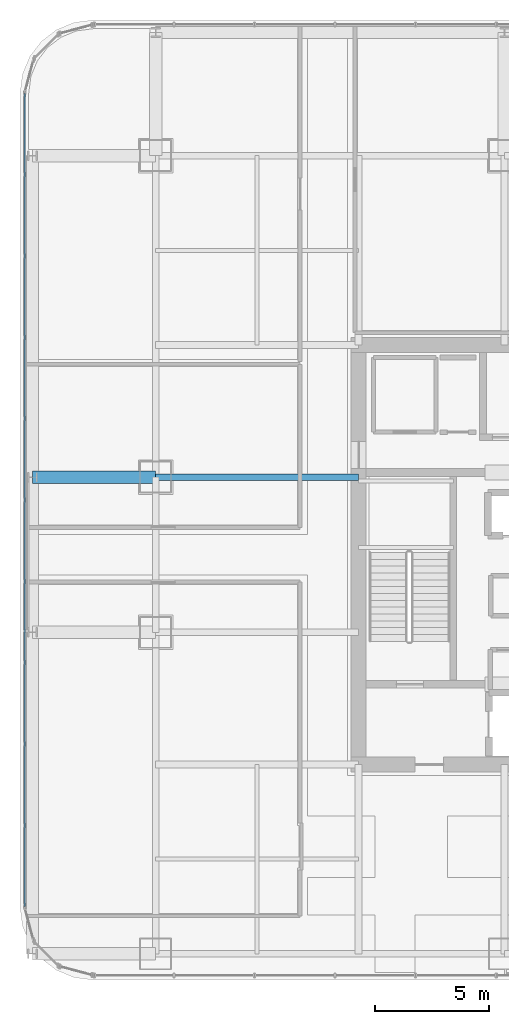
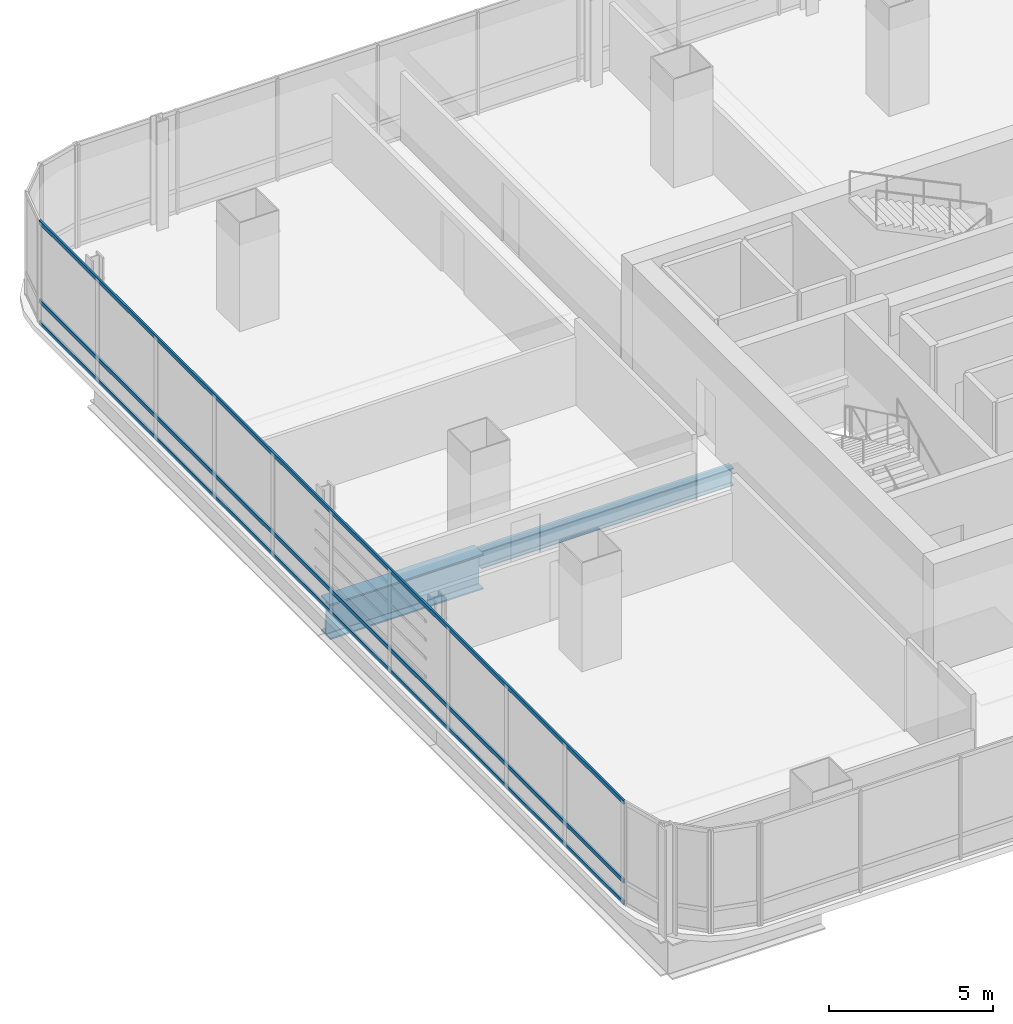
# One storey, part 11 of 38: 3 members, 2 beams, 1 element without a shape of its own.
"""IFC4 building model written with IfcOpenShell, lengths in metres."""

from ifc_helpers import new_model, si_unit, direction, frame, origin, origin_2d, place, context, subcontext, project, spatial, hollow_rectangle, i_section, extrude, material, material_profile, profile_set, type_object, element, aggregate, save


model = new_model("IFC4")

# Units and contexts
model_context = context("Model", 3, precision=1e-05, world=origin(), true_north=direction((0.0, 1.0)))
body_context = subcontext(model_context, "Body", "Model", "MODEL_VIEW")
ifc_project = project(units=[si_unit("LENGTHUNIT", "METRE"), si_unit("AREAUNIT", "SQUARE_METRE"), si_unit("VOLUMEUNIT", "CUBIC_METRE"), si_unit("PLANEANGLEUNIT", "RADIAN"), si_unit("MASSUNIT", "GRAM", prefix="KILO")], contexts=[model_context])

# Site, building, storey
site_placement = place(None, origin())
site = spatial("IfcSite", under=ifc_project, at=site_placement, CompositionType="ELEMENT")
building_placement = place(site_placement, origin())
building = spatial("IfcBuilding", under=site, at=building_placement, Name="Punatoya Terracotta Tower", CompositionType="ELEMENT")
storey_placement = place(building_placement, frame((0.0, 0.0, 143.85009765625)))
storey = spatial("IfcBuildingStorey", under=building, at=storey_placement, Name="L33", CompositionType="ELEMENT", Elevation=143.85009765625)

# Beams
ifc_material_1 = material(Name="Steel S355", Category="steel")
ifc_material_profile_1 = material_profile(ifc_material_1, i_section(OverallWidth=0.300048828125, OverallDepth=0.64990234375, WebThickness=0.01611328125, FlangeThickness=0.031005859375, FilletRadius=0.01806640625, at=origin_2d()))
ifc_profile_set_1 = profile_set([ifc_material_profile_1], Name="Steel S355")
beam_type_1 = type_object("IfcBeamType", Name="BM-PRI-650", PredefinedType="BEAM", material=ifc_profile_set_1)
beam_1_placement = place(storey_placement, frame((-19.10009765625, 3.39990234375, -0.545166015625), z_axis=(1.0, 0.0, 0.0), x_axis=(0.0, 1.0, 0.0)))
element("IfcBeam", 1, at=beam_1_placement, inside=storey, type_object=beam_type_1, Name="BM-L33-PR-WE", PredefinedType="BEAM", context=body_context, shape_type="SweptSolid", body=[
    extrude(i_section(OverallWidth=0.300048828125, OverallDepth=0.64990234375, WebThickness=0.01611328125, FlangeThickness=0.031005859375, FilletRadius=0.01806640625, at=origin_2d()), origin(), (0.0, 0.0, 1.0), 8.900146484375),
])
ifc_material_2 = material(Name="Steel S460", Category="steel")
ifc_material_profile_2 = material_profile(ifc_material_2, i_section(OverallWidth=0.56005859375, OverallDepth=1.320068359375, WebThickness=0.035888671875, FlangeThickness=0.054931640625, FilletRadius=0.01806640625, at=origin_2d()))
ifc_profile_set_2 = profile_set([ifc_material_profile_2], Name="Steel S460")
beam_type_2 = type_object("IfcBeamType", Name="BM-TG-BLK", PredefinedType="BEAM", material=ifc_profile_set_2)
beam_2_placement = place(storey_placement, frame((-24.5, 3.39990234375, -0.880126953125), z_axis=(1.0, 0.0, 0.0), x_axis=(0.0, 1.0, 0.0)))
element("IfcBeam", 2, at=beam_2_placement, inside=storey, type_object=beam_type_2, Name="BM-L33-CANT-W3", PredefinedType="BEAM", context=body_context, shape_type="SweptSolid", body=[
    extrude(i_section(OverallWidth=0.56005859375, OverallDepth=1.320068359375, WebThickness=0.035888671875, FlangeThickness=0.054931640625, FilletRadius=0.01806640625, at=origin_2d()), origin(), (0.0, 0.0, 1.0), 5.39990234375),
])

# Curtain wall, members
ifc_material_3 = material(Name="Aluminium 6063-T6 + Double Low-E Glass", Category="aluminium")
curtain_wall_type = type_object("IfcCurtainWallType", Name="CW-M2", PredefinedType="NOTDEFINED", material=ifc_material_3)
curtain_wall_placement = place(storey_placement, origin())
curtain_wall = element("IfcCurtainWall", 3, at=curtain_wall_placement, inside=storey, type_object=curtain_wall_type, Name="L33 Curtain Wall CW-L33-W13-1", PredefinedType="NOTDEFINED")
ifc_material_4 = material(Name="Aluminium 6063-T6", Category="aluminium")
ifc_material_profile_3 = material_profile(ifc_material_4, hollow_rectangle(XDim=0.068115234375, YDim=0.14990234375, WallThickness=0.00390625, at=origin_2d()))
ifc_profile_set_3 = profile_set([ifc_material_profile_3], Name="Aluminium 6063-T6")
member_type = type_object("IfcMemberType", Name="CW-TRN-TYP", PredefinedType="USERDEFINED", material=ifc_profile_set_3)
member_1_placement = place(storey_placement, frame((-24.85009765625, 20.23681640625, 0.039794921875), z_axis=(0.0, -1.0, 0.0), x_axis=(1.0, 0.0, 0.0)))
member_1 = element("IfcMember", 4, at=member_1_placement, type_object=member_type, Name="CW-L33-W13-1 Transom 1", ObjectType="TRANSOM", PredefinedType="USERDEFINED", context=body_context, shape_type="SweptSolid", body=[
    extrude(hollow_rectangle(XDim=0.068115234375, YDim=0.14990234375, WallThickness=0.00390625, at=origin_2d()), origin(), (0.0, 0.0, 1.0), 35.673828125),
])
member_2_placement = place(storey_placement, frame((-24.85009765625, 20.23681640625, 0.849853515625), z_axis=(0.0, -1.0, 0.0), x_axis=(1.0, 0.0, 0.0)))
member_2 = element("IfcMember", 5, at=member_2_placement, type_object=member_type, Name="CW-L33-W13-1 Transom 2", ObjectType="TRANSOM", PredefinedType="USERDEFINED", context=body_context, shape_type="SweptSolid", body=[
    extrude(hollow_rectangle(XDim=0.068115234375, YDim=0.14990234375, WallThickness=0.00390625, at=origin_2d()), origin(), (0.0, 0.0, 1.0), 35.673828125),
])
member_3_placement = place(storey_placement, frame((-24.85009765625, 20.23681640625, 3.789794921875), z_axis=(0.0, -1.0, 0.0), x_axis=(1.0, 0.0, 0.0)))
member_3 = element("IfcMember", 6, at=member_3_placement, type_object=member_type, Name="CW-L33-W13-1 Transom 3", ObjectType="TRANSOM", PredefinedType="USERDEFINED", context=body_context, shape_type="SweptSolid", body=[
    extrude(hollow_rectangle(XDim=0.068115234375, YDim=0.14990234375, WallThickness=0.00390625, at=origin_2d()), origin(), (0.0, 0.0, 1.0), 35.673828125),
])
aggregate(curtain_wall, [member_1, member_2, member_3])

save(model, "model.ifc")
